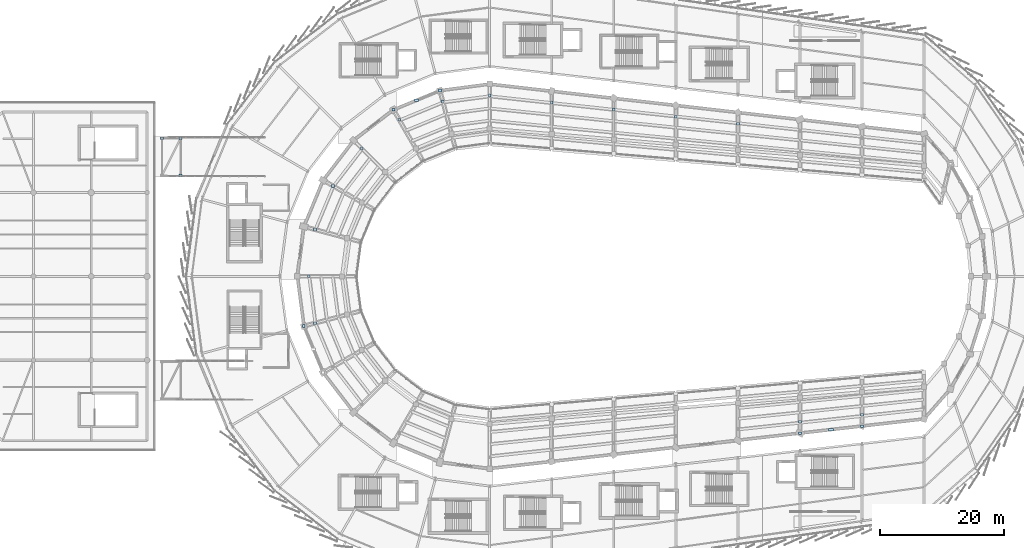
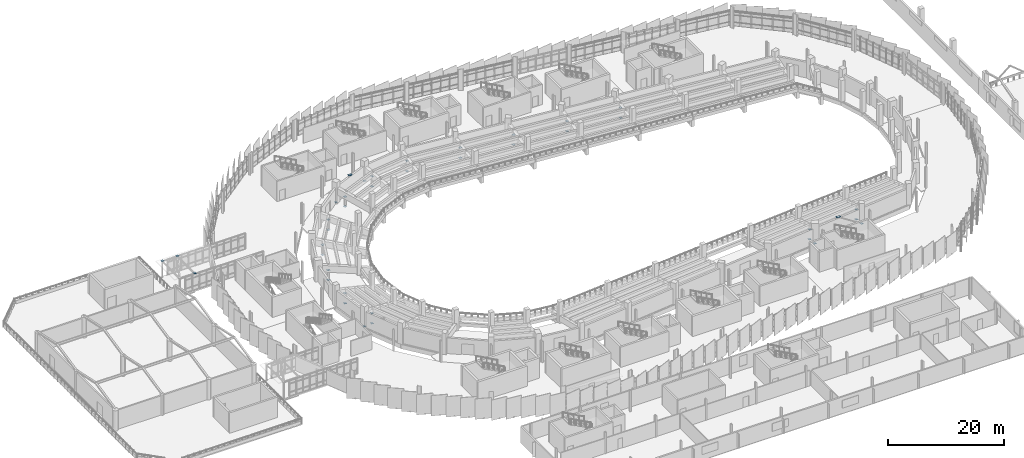
# One storey, part 95 of 120: 38 plates.
"""IFC4 building model written with IfcOpenShell, lengths in metres."""

from ifc_helpers import new_model, si_unit, direction, frame, origin, origin_2d, place, context, subcontext, project, spatial, rectangle, extrude, material, layer, layer_set, type_object, element, save


model = new_model("IFC4")

# Units and contexts
model_context = context("Model", 3, precision=1e-05, world=origin(), true_north=direction((0.0, 1.0)))
body_context = subcontext(model_context, "Body", "Model", "MODEL_VIEW")
ifc_project = project(units=[si_unit("LENGTHUNIT", "METRE"), si_unit("AREAUNIT", "SQUARE_METRE"), si_unit("VOLUMEUNIT", "CUBIC_METRE"), si_unit("PLANEANGLEUNIT", "RADIAN"), si_unit("MASSUNIT", "GRAM", prefix="KILO")], contexts=[model_context])

# Site, building, storey
site_placement = place(None, origin())
site = spatial("IfcSite", under=ifc_project, at=site_placement, CompositionType="ELEMENT")
building_placement = place(site_placement, origin())
building = spatial("IfcBuilding", under=site, at=building_placement, Name="Sohan Crest Arena", CompositionType="ELEMENT")
storey_placement = place(building_placement, frame((0.0, 0.0, 13.5)))
storey = spatial("IfcBuildingStorey", under=building, at=storey_placement, Name="L03", CompositionType="ELEMENT", Elevation=13.5)

# Plates
ifc_material = material(Name="Steel S355", Category="steel")
ifc_layer_1 = layer(ifc_material, 0.031982421875, Name="Steel S355")
ifc_layer_set_1 = layer_set([ifc_layer_1], Name="Steel S355")
plate_type_1 = type_object("IfcPlateType", Name="STR-PL-BP01", PredefinedType="USERDEFINED", material=ifc_layer_set_1)
for number, where, z_axis, x_axis, name in (
    (1, (48.199951171875, 94.25, 3.462646484375), (0.0, 0.0, 1.0), (1.0, 0.0, 0.0), "Hollow section end cap plate ECP-0046"),
    (2, (45.199951171875, 100.25, 3.462646484375), (0.0, 0.0, 1.0), (1.0, 0.0, 0.0), "Hollow section end cap plate ECP-0051"),
    (3, (48.199951171875, 100.25, 3.462646484375), (0.0, 0.0, 1.0), (1.0, 0.0, 0.0), "Hollow section end cap plate ECP-0056"),
    (4, (98.0, 107.14990234375, -0.2724609375), (0.0, 0.0, 1.0), (1.0, 0.0, 0.0), "Hollow section end cap plate ECP-0113"),
    (5, (98.0, 107.14990234375, 1.887451171875), (0.0, 0.0, 1.0), (1.0, 0.0, 0.0), "Hollow section end cap plate ECP-0114"),
    (6, (90.4560546875, 106.156982421875, -0.2724609375), (0.0, 0.0, 1.0), (1.0, 0.0, 0.0), "Hollow section end cap plate ECP-0115"),
    (7, (90.4560546875, 106.156982421875, 1.862548828125), (0.0, 0.0, 1.0), (1.0, 0.0, 0.0), "Hollow section end cap plate ECP-0116"),
    (8, (83.425048828125, 103.2451171875, -0.2724609375), (0.0, 0.0, 1.0), (1.0, 0.0, 0.0), "Hollow section end cap plate ECP-0117"),
    (9, (83.425048828125, 103.2451171875, 1.8125), (0.0, 0.0, 1.0), (1.0, 0.0, 0.0), "Hollow section end cap plate ECP-0118"),
    (10, (77.387939453125, 98.612060546875, -0.2724609375), (0.0, 0.0, 1.0), (1.0, 0.0, 0.0), "Hollow section end cap plate ECP-0119"),
    (11, (77.387939453125, 98.612060546875, 1.887451171875), (0.0, 0.0, 1.0), (1.0, 0.0, 0.0), "Hollow section end cap plate ECP-0120"),
    (12, (72.7548828125, 92.574951171875, -0.2724609375), (0.0, 0.0, 1.0), (1.0, 0.0, 0.0), "Hollow section end cap plate ECP-0121"),
    (13, (72.7548828125, 92.574951171875, 1.862548828125), (0.0, 0.0, 1.0), (1.0, 0.0, 0.0), "Hollow section end cap plate ECP-0122"),
    (14, (69.843017578125, 85.5439453125, -0.2724609375), (0.0, 0.0, 1.0), (1.0, 0.0, 0.0), "Hollow section end cap plate ECP-0123"),
    (15, (69.843017578125, 85.5439453125, 1.8125), (0.0, 0.0, 1.0), (1.0, 0.0, 0.0), "Hollow section end cap plate ECP-0124"),
    (16, (68.85009765625, 78.0, -0.2724609375), (0.0, 0.0, 1.0), (1.0, 0.0, 0.0), "Hollow section end cap plate ECP-0125"),
    (17, (68.85009765625, 78.0, 1.887451171875), (0.0, 0.0, 1.0), (1.0, 0.0, 0.0), "Hollow section end cap plate ECP-0126"),
    (18, (69.843017578125, 70.4560546875, -0.2724609375), (0.0, 0.0, 1.0), (1.0, 0.0, 0.0), "Hollow section end cap plate ECP-0127"),
    (19, (69.843017578125, 70.4560546875, 1.862548828125), (0.0, 0.0, 1.0), (1.0, 0.0, 0.0), "Hollow section end cap plate ECP-0128"),
    (20, (148.0, 54.56396484375, -0.2724609375), (0.0, 0.0, 1.0), (1.0, 0.0, 0.0), "Hollow section end cap plate ECP-0147"),
    (21, (148.0, 54.56396484375, 1.8125), (0.0, 0.0, 1.0), (1.0, 0.0, 0.0), "Hollow section end cap plate ECP-0148"),
    (22, (158.0, 55.70703125, -0.2724609375), (0.0, 0.0, 1.0), (1.0, 0.0, 0.0), "Hollow section end cap plate ECP-0149"),
    (23, (158.0, 55.70703125, 1.887451171875), (0.0, 0.0, 1.0), (1.0, 0.0, 0.0), "Hollow section end cap plate ECP-0150"),
    (24, (138.0, 102.5791015625, -0.2724609375), (0.0, 0.0, 1.0), (1.0, 0.0, 0.0), "Hollow section end cap plate ECP-0161"),
    (25, (138.0, 102.5791015625, 1.887451171875), (0.0, 0.0, 1.0), (1.0, 0.0, 0.0), "Hollow section end cap plate ECP-0162"),
    (26, (128.0, 103.720947265625, -0.2724609375), (0.0, 0.0, 1.0), (1.0, 0.0, 0.0), "Hollow section end cap plate ECP-0163"),
    (27, (128.0, 103.720947265625, 1.862548828125), (0.0, 0.0, 1.0), (1.0, 0.0, 0.0), "Hollow section end cap plate ECP-0164"),
    (28, (118.0, 104.864013671875, -0.2724609375), (0.0, 0.0, 1.0), (1.0, 0.0, 0.0), "Hollow section end cap plate ECP-0165"),
    (29, (118.0, 104.864013671875, 1.8125), (0.0, 0.0, 1.0), (1.0, 0.0, 0.0), "Hollow section end cap plate ECP-0166"),
    (30, (108.0, 106.007080078125, -0.2724609375), (0.0, 0.0, 1.0), (1.0, 0.0, 0.0), "Hollow section end cap plate ECP-0167"),
    (31, (108.0, 106.007080078125, 1.887451171875), (0.0, 0.0, 1.0), (1.0, 0.0, 0.0), "Hollow section end cap plate ECP-0168"),
    (32, (89.97705078125, 107.944091796875, -0.012451171875), (0.0, 0.0, 1.0), (1.0, 0.0, 0.0), "Hollow section end cap plate ECP-0505"),
    (33, (82.5, 104.846923828125, -0.012451171875), (0.0, 0.0, 1.0), (1.0, 0.0, 0.0), "Hollow section end cap plate ECP-0506"),
    (34, (68.055908203125, 69.97705078125, -0.012451171875), (0.0, 0.0, 1.0), (1.0, 0.0, 0.0), "Hollow section end cap plate ECP-0513"),
    (35, (148.0, 52.714111328125, -0.012451171875), (0.0, 0.0, 1.0), (1.0, 0.0, 0.0), "Hollow section end cap plate ECP-0521"),
    (36, (158.0, 53.85693359375, -0.012451171875), (0.0, 0.0, 1.0), (1.0, 0.0, 0.0), "Hollow section end cap plate ECP-0522"),
):
    element("IfcPlate", number, at=place(storey_placement, frame(where, z_axis=z_axis, x_axis=x_axis)), inside=storey, type_object=plate_type_1, Name=name, ObjectType="BASE PLATE", PredefinedType="USERDEFINED", context=body_context, shape_type="SweptSolid", body=[
        extrude(rectangle(XDim=0.449951171875, YDim=0.449951171875, at=origin_2d()), origin(), (0.0, 0.0, 1.0), 0.02490234375),
    ])
ifc_layer_2 = layer(ifc_material, 0.02392578125, Name="Steel S355")
ifc_layer_set_2 = layer_set([ifc_layer_2], Name="Steel S355")
plate_type_2 = type_object("IfcPlateType", Name="STR-PL-SP04", PredefinedType="SHEET", material=ifc_layer_set_2)
plate_1_placement = place(storey_placement, frame((86.239013671875, 106.39501953125, 3.488037109375), z_axis=(0.0, 0.0, 1.0), x_axis=(1.0, 0.0, 0.0)))
element("IfcPlate", 37, at=plate_1_placement, inside=storey, type_object=plate_type_2, Name="Brace connection sheet plate SP-BR008", PredefinedType="SHEET", context=body_context, shape_type="SweptSolid", body=[
    extrude(rectangle(XDim=0.659912109375, YDim=0.419921875, at=origin_2d()), origin(), (0.0, 0.0, 1.0), 0.02392578125),
])
ifc_layer_3 = layer(ifc_material, 0.02587890625, Name="Steel S355")
ifc_layer_set_3 = layer_set([ifc_layer_3], Name="Steel S355")
plate_type_3 = type_object("IfcPlateType", Name="STR-PL-SP05", PredefinedType="SHEET", material=ifc_layer_set_3)
plate_2_placement = place(storey_placement, frame((153.0, 53.284912109375, 3.487060546875), z_axis=(0.0, 0.0, 1.0), x_axis=(1.0, 0.0, 0.0)))
element("IfcPlate", 38, at=plate_2_placement, inside=storey, type_object=plate_type_3, Name="Brace connection sheet plate SP-BR024", PredefinedType="SHEET", context=body_context, shape_type="SweptSolid", body=[
    extrude(rectangle(XDim=0.739990234375, YDim=0.4599609375, at=origin_2d()), origin(), (0.0, 0.0, 1.0), 0.02587890625),
])

save(model, "model.ifc")
